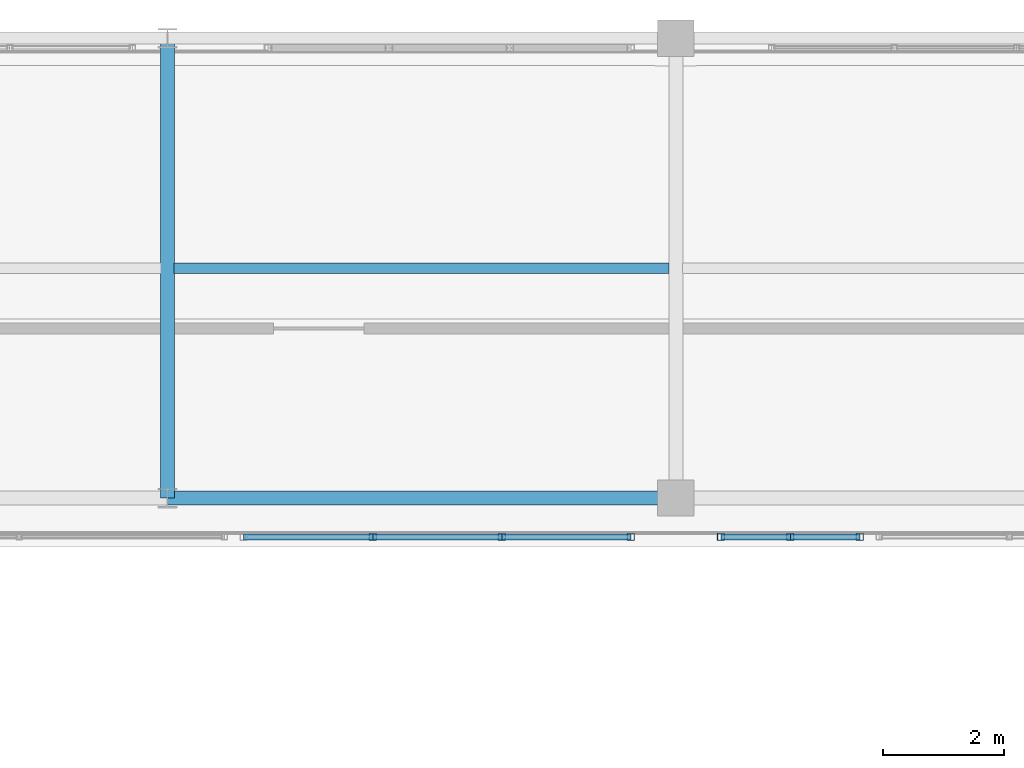
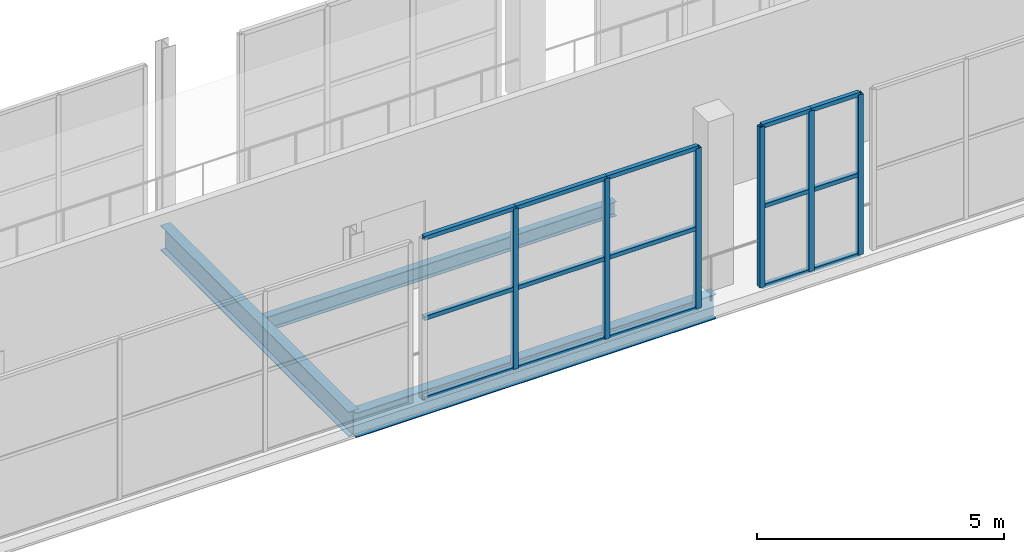
# One storey, part 63 of 151: 21 members, 3 beams, 2 elements without a shape of their own.
"""IFC4 building model written with IfcOpenShell, lengths in metres."""

import ifcopenshell
import ifcopenshell.guid

model = None  # the IFC model being written
_history = None  # IfcOwnerHistory: only IFC2X3 demands one
_inside = {}  # id of a spatial element -> (the spatial element, [elements in it])
_under = {}  # id of a project, library or spatial element -> (it, [spatial elements below it])
_declared = {}  # id of a project -> (the project, [libraries it declares])
_typed = {}  # id of a type object -> (the type object, [elements of that type])
_made_of = {}  # id of a material, layer set ... -> (it, [elements and type objects made of it])


def new_model(schema):
    """Start an empty IFC model of exactly this schema.

    Asked for "IFC4X3", IfcOpenShell would pick the latest addendum, in which some entities
    have other attributes; the version numbers below select the first issue.
    IFC2X3 requires an IfcOwnerHistory on every rooted entity: one is made here for all.
    """
    global model, _history
    if schema == "IFC4X3":
        model = ifcopenshell.file(schema_version=(4, 3, 0, 0))
    else:
        model = ifcopenshell.file(schema=schema)
    _inside.clear()
    _under.clear()
    _declared.clear()
    _typed.clear()
    _made_of.clear()
    _history = None
    if model.schema == "IFC2X3":
        org = make("IfcOrganization", Name="unknown")
        user = make(
            "IfcPersonAndOrganization",
            ThePerson=make("IfcPerson", FamilyName="unknown"),
            TheOrganization=org,
        )
        app = make(
            "IfcApplication",
            ApplicationDeveloper=org,
            Version="unknown",
            ApplicationFullName="unknown",
            ApplicationIdentifier="unknown",
        )
        _history = make(
            "IfcOwnerHistory",
            OwningUser=user,
            OwningApplication=app,
            ChangeAction="ADDED",
            CreationDate=0,
        )
    return model


def make(cls, **values):
    """One entity of the class cls with the attributes given. An attribute that is None is left unset."""
    return model.create_entity(
        cls, **{name: value for name, value in values.items() if value is not None}
    )


def rooted(cls, **values):
    """An entity with a GlobalId (a new one), such as an element, a storey or a relation."""
    return make(cls, GlobalId=ifcopenshell.guid.new(), OwnerHistory=_history, **values)


def si_unit(unit_type, name, prefix=None):
    """IfcSIUnit, for example si_unit("LENGTHUNIT", "METRE", prefix="MILLI")."""
    return make("IfcSIUnit", UnitType=unit_type, Prefix=prefix, Name=name)


def assignment(units):
    """IfcUnitAssignment: the units of a project."""
    return None if units is None else make("IfcUnitAssignment", Units=units)


def point(xyz):
    """IfcCartesianPoint."""
    return None if xyz is None else make("IfcCartesianPoint", Coordinates=xyz)


def direction(xyz):
    """IfcDirection."""
    return None if xyz is None else make("IfcDirection", DirectionRatios=xyz)


def frame(location, z_axis=None, x_axis=None):
    """IfcAxis2Placement3D, a coordinate frame: its origin and axes. An axis left out is left unset."""
    return make(
        "IfcAxis2Placement3D",
        Location=point(location),
        Axis=direction(z_axis),
        RefDirection=direction(x_axis),
    )


def frame_2d(location, x_axis=None):
    """IfcAxis2Placement2D, a coordinate frame in the plane: its origin and x axis."""
    return make(
        "IfcAxis2Placement2D", Location=point(location), RefDirection=direction(x_axis)
    )


def origin():
    """The frame at (0, 0, 0) with its axes left unset."""
    return frame((0.0, 0.0, 0.0))


def origin_2d():
    """The frame at (0, 0) in the plane with its x axis left unset."""
    return frame_2d((0.0, 0.0))


def place(relative_to, where):
    """IfcLocalPlacement: puts the frame where relative to a parent placement (None: the world)."""
    return make(
        "IfcLocalPlacement", PlacementRelTo=relative_to, RelativePlacement=where
    )


def context(
    kind, dimensions, precision=None, world=None, true_north=None, identifier=None
):
    """IfcGeometricRepresentationContext, for example the 3D "Model" context."""
    return make(
        "IfcGeometricRepresentationContext",
        ContextIdentifier=identifier,
        ContextType=kind,
        CoordinateSpaceDimension=dimensions,
        Precision=precision,
        WorldCoordinateSystem=world,
        TrueNorth=true_north,
    )


def subcontext(parent, identifier, kind, view, scale=None):
    """IfcGeometricRepresentationSubContext, for example "Body" below "Model"."""
    return make(
        "IfcGeometricRepresentationSubContext",
        ContextIdentifier=identifier,
        ContextType=kind,
        ParentContext=parent,
        TargetScale=scale,
        TargetView=view,
    )


def project(units=None, contexts=None):
    """IfcProject with its units and contexts."""
    return rooted(
        "IfcProject",
        Name="project",
        RepresentationContexts=contexts,
        UnitsInContext=assignment(units),
    )


def spatial(cls, under=None, at=None, **own):
    """A site, building, storey or space (cls), placed at a placement, below another one or the project."""
    s = rooted(cls, ObjectPlacement=at, **own)
    if under is not None:
        _under.setdefault(under.id(), (under, []))[1].append(s)
    return s


def profile(cls, at=None, kind="AREA", **sizes):
    """A parametric profile (cls). Its sizes go by their IFC names, for example OverallWidth=200.0."""
    return make(cls, ProfileType=kind, Position=at, **sizes)


def hollow_rectangle(**sizes):
    """IfcRectangleHollowProfileDef."""
    return profile("IfcRectangleHollowProfileDef", **sizes)


def i_section(**sizes):
    """IfcIShapeProfileDef."""
    return profile("IfcIShapeProfileDef", **sizes)


def extrude(swept, where, along, depth):
    """IfcExtrudedAreaSolid: the profile swept, set in the frame where, extruded along a direction by depth."""
    return make(
        "IfcExtrudedAreaSolid",
        SweptArea=swept,
        Position=where,
        ExtrudedDirection=direction(along),
        Depth=depth,
    )


def shape(context_of_items, identifier, shape_type, items):
    """IfcShapeRepresentation: the items that make up one representation, for example the "Body"."""
    return make(
        "IfcShapeRepresentation",
        ContextOfItems=context_of_items,
        RepresentationIdentifier=identifier,
        RepresentationType=shape_type,
        Items=items,
    )


def material(Name=None, Category=None):
    """IfcMaterial."""
    return make("IfcMaterial", Name=Name, Category=Category)


def material_profile(
    of_material, cross_section, Name=None, Category=None, Priority=None
):
    """IfcMaterialProfile: a cross section and its material."""
    return make(
        "IfcMaterialProfile",
        Name=Name,
        Material=of_material,
        Profile=cross_section,
        Priority=Priority,
        Category=Category,
    )


def profile_set(profiles, Name=None, composite=None):
    """IfcMaterialProfileSet."""
    return make(
        "IfcMaterialProfileSet",
        Name=Name,
        MaterialProfiles=profiles,
        CompositeProfile=composite,
    )


def made_of(thing, what):
    """Note that an element or type object is made of a material, layer set ...; save() writes the relation."""
    if what is not None:
        _made_of.setdefault(what.id(), (what, []))[1].append(thing)
    return thing


def type_object(cls, material=None, **own):
    """A type object (cls), such as IfcWallType, which elements share."""
    return made_of(rooted(cls, **own), material)


def element(
    cls,
    number,
    at=None,
    inside=None,
    cuts=None,
    type_object=None,
    material=None,
    context=None,
    identifier="Body",
    shape_type=None,
    held_by="IfcProductDefinitionShape",
    body=None,
    shapes=None,
    **own,
):
    """One element of the class cls, such as IfcWall. Its Tag is "e" and its number.

    at: its placement. inside: the storey or other place that contains it. cuts: it is an
    opening in that element (IfcRelVoidsElement). A single representation is given by context,
    identifier, shape_type and body (its items); several are given by shapes. held_by: the class
    of the entity that holds the representations. save() writes the other relations.
    """
    e = rooted(cls, Tag="e%d" % number, ObjectPlacement=at, **own)
    if body is not None:
        shapes = [shape(context, identifier, shape_type, body)]
    if shapes is not None:
        e.Representation = make(held_by, Representations=shapes)
    if inside is not None:
        _inside.setdefault(inside.id(), (inside, []))[1].append(e)
    if cuts is not None:
        rooted(
            "IfcRelVoidsElement", RelatingBuildingElement=cuts, RelatedOpeningElement=e
        )
    if type_object is not None:
        _typed.setdefault(type_object.id(), (type_object, []))[1].append(e)
    return made_of(e, material)


def aggregate(whole, parts):
    """IfcRelAggregates: a whole, such as a stair, and the parts it consists of."""
    return rooted("IfcRelAggregates", RelatingObject=whole, RelatedObjects=parts)


def save(model, path):
    """Write the relations noted so far, then the file.

    IfcRelAggregates (storeys below a building ...), IfcRelContainedInSpatialStructure (elements
    in a storey), IfcRelDefinesByType, IfcRelAssociatesMaterial and IfcRelDeclares: one each for
    every whole, place, type object, material and project.
    """
    for whole, parts in _under.values():
        aggregate(whole, parts)
    for where, things in _inside.values():
        rooted(
            "IfcRelContainedInSpatialStructure",
            RelatedElements=things,
            RelatingStructure=where,
        )
    for kind, things in _typed.values():
        rooted("IfcRelDefinesByType", RelatedObjects=things, RelatingType=kind)
    for what, things in _made_of.values():
        rooted("IfcRelAssociatesMaterial", RelatedObjects=things, RelatingMaterial=what)
    for by, libraries in _declared.values():
        rooted("IfcRelDeclares", RelatingContext=by, RelatedDefinitions=libraries)
    model.write(path)


model = new_model("IFC4")

# Units and contexts
model_context = context("Model", 3, precision=1e-05, world=origin(), true_north=direction((0.0, 1.0)))
body_context = subcontext(model_context, "Body", "Model", "MODEL_VIEW")
ifc_project = project(units=[si_unit("LENGTHUNIT", "METRE"), si_unit("AREAUNIT", "SQUARE_METRE"), si_unit("VOLUMEUNIT", "CUBIC_METRE"), si_unit("PLANEANGLEUNIT", "RADIAN"), si_unit("MASSUNIT", "GRAM", prefix="KILO")], contexts=[model_context])

# Site, building, storey
site_placement = place(None, origin())
site = spatial("IfcSite", under=ifc_project, at=site_placement, CompositionType="ELEMENT")
building_placement = place(site_placement, origin())
building = spatial("IfcBuilding", under=site, at=building_placement, Name="Zuvorla Pavilion Media Centre", CompositionType="ELEMENT")
storey_placement = place(building_placement, frame((0.0, 0.0, 13.800048828125)))
storey = spatial("IfcBuildingStorey", under=building, at=storey_placement, Name="L03", CompositionType="ELEMENT", Elevation=13.800048828125)

# Beams
ifc_material_1 = material(Name="Steel S355", Category="steel")
ifc_material_profile_1 = material_profile(ifc_material_1, i_section(OverallWidth=0.172119140625, OverallDepth=0.35791015625, WebThickness=0.008056640625, FlangeThickness=0.012939453125, FilletRadius=0.01025390625, at=origin_2d()), Name="UB 356x171x57")
ifc_profile_set_1 = profile_set([ifc_material_profile_1], Name="Steel S355")
beam_type_1 = type_object("IfcBeamType", Name="BM-UB356", PredefinedType="JOIST", material=ifc_profile_set_1)
beam_1_placement = place(storey_placement, frame((58.509521484375, 85.800048828125, -0.43701171875), z_axis=(1.0, 0.0, 0.0), x_axis=(0.0, 1.0, 0.0)))
element("IfcBeam", 1, at=beam_1_placement, inside=storey, type_object=beam_type_1, Name="L03 joist J03 1259", PredefinedType="JOIST", context=body_context, shape_type="SweptSolid", body=[
    extrude(i_section(OverallWidth=0.172119140625, OverallDepth=0.35791015625, WebThickness=0.008056640625, FlangeThickness=0.012939453125, FilletRadius=0.01025390625, at=origin_2d()), origin(), (0.0, 0.0, 1.0), 8.180908203125),
])
ifc_material_profile_2 = material_profile(ifc_material_1, i_section(OverallWidth=0.22900390625, OverallDepth=0.6123046875, WebThickness=0.011962890625, FlangeThickness=0.01953125, FilletRadius=0.0126953125, at=origin_2d()), Name="UB 610x229x125")
ifc_profile_set_2 = profile_set([ifc_material_profile_2], Name="Steel S355")
beam_type_2 = type_object("IfcBeamType", Name="BM-UB610", PredefinedType="BEAM", material=ifc_profile_set_2)
beam_2_placement = place(storey_placement, frame((58.39990234375, 82.0, -0.564208984375), z_axis=(1.0, 0.0, 0.0), x_axis=(0.0, 1.0, 0.0)))
element("IfcBeam", 2, at=beam_2_placement, inside=storey, type_object=beam_type_2, Name="L03 beam B07 1120", PredefinedType="BEAM", context=body_context, shape_type="SweptSolid", body=[
    extrude(i_section(OverallWidth=0.22900390625, OverallDepth=0.6123046875, WebThickness=0.011962890625, FlangeThickness=0.01953125, FilletRadius=0.0126953125, at=origin_2d()), origin(), (0.0, 0.0, 1.0), 8.400146484375),
])
beam_3_placement = place(storey_placement, frame((58.39990234375, 82.0, -0.564208984375), z_axis=(0.0, 1.0, 0.0), x_axis=(-1.0, 0.0, 0.0)))
element("IfcBeam", 3, at=beam_3_placement, inside=storey, type_object=beam_type_2, Name="L03 beam B07 1179", PredefinedType="BEAM", context=body_context, shape_type="SweptSolid", body=[
    extrude(i_section(OverallWidth=0.22900390625, OverallDepth=0.6123046875, WebThickness=0.011962890625, FlangeThickness=0.01953125, FilletRadius=0.0126953125, at=origin_2d()), origin(), (0.0, 0.0, 1.0), 7.60009765625),
])

# Curtain wall, members
ifc_material_2 = material(Name="Unitised anodised aluminium and solar glass curtain wall", Category="aluminium")
curtain_wall_type_1 = type_object("IfcCurtainWallType", Name="CW-SYS-76", PredefinedType="USERDEFINED", material=ifc_material_2)
curtain_wall_1_placement = place(storey_placement, origin())
curtain_wall_1 = element("IfcCurtainWall", 4, at=curtain_wall_1_placement, inside=storey, type_object=curtain_wall_type_1, Name="L03 curtain wall CW76 158", ObjectType="CURTAIN WALL", PredefinedType="USERDEFINED")
ifc_material_3 = material(Name="Anodised aluminium 6063-T6", Category="aluminium")
ifc_material_profile_3 = material_profile(ifc_material_3, hollow_rectangle(XDim=0.1201171875, YDim=0.1201171875, WallThickness=0.0048828125, at=origin_2d()), Name="ALU MULL 120x120")
ifc_profile_set_3 = profile_set([ifc_material_profile_3], Name="Anodised aluminium 6063-T6")
member_type_1 = type_object("IfcMemberType", Name="CW-MULL-120", PredefinedType="MULLION", material=ifc_profile_set_3)
member_1_placement = place(storey_placement, frame((69.840087890625, 81.360107421875, 0.0), z_axis=(0.0, 0.0, 1.0), x_axis=(1.0, 0.0, 0.0)))
member_1 = element("IfcMember", 5, at=member_1_placement, type_object=member_type_1, Name="CW76 mullion 1", PredefinedType="MULLION", context=body_context, shape_type="SweptSolid", body=[
    extrude(hollow_rectangle(XDim=0.1201171875, YDim=0.1201171875, WallThickness=0.0048828125, at=origin_2d()), origin(), (0.0, 0.0, 1.0), 3.9599609375),
])
member_2_placement = place(storey_placement, frame((68.692138671875, 81.360107421875, 0.0), z_axis=(0.0, 0.0, 1.0), x_axis=(1.0, 0.0, 0.0)))
member_2 = element("IfcMember", 6, at=member_2_placement, type_object=member_type_1, Name="CW76 mullion 2", PredefinedType="MULLION", context=body_context, shape_type="SweptSolid", body=[
    extrude(hollow_rectangle(XDim=0.1201171875, YDim=0.1201171875, WallThickness=0.0048828125, at=origin_2d()), origin(), (0.0, 0.0, 1.0), 3.9599609375),
])
member_3_placement = place(storey_placement, frame((67.544189453125, 81.360107421875, 0.0), z_axis=(0.0, 0.0, 1.0), x_axis=(1.0, 0.0, 0.0)))
member_3 = element("IfcMember", 7, at=member_3_placement, type_object=member_type_1, Name="CW76 mullion 3", PredefinedType="MULLION", context=body_context, shape_type="SweptSolid", body=[
    extrude(hollow_rectangle(XDim=0.1201171875, YDim=0.1201171875, WallThickness=0.0048828125, at=origin_2d()), origin(), (0.0, 0.0, 1.0), 3.9599609375),
])

curtain_wall_type_2 = type_object("IfcCurtainWallType", Name="CW-SYS-77", PredefinedType="USERDEFINED", material=ifc_material_2)
curtain_wall_2_placement = place(storey_placement, origin())
curtain_wall_2 = element("IfcCurtainWall", 8, at=curtain_wall_2_placement, inside=storey, type_object=curtain_wall_type_2, Name="L03 curtain wall CW77 159", ObjectType="CURTAIN WALL", PredefinedType="USERDEFINED")
member_4_placement = place(storey_placement, frame((66.0556640625, 81.360107421875, 0.0), z_axis=(0.0, 0.0, 1.0), x_axis=(1.0, 0.0, 0.0)))
member_4 = element("IfcMember", 9, at=member_4_placement, type_object=member_type_1, Name="CW77 mullion 1", PredefinedType="MULLION", context=body_context, shape_type="SweptSolid", body=[
    extrude(hollow_rectangle(XDim=0.1201171875, YDim=0.1201171875, WallThickness=0.0048828125, at=origin_2d()), origin(), (0.0, 0.0, 1.0), 3.9599609375),
])
member_5_placement = place(storey_placement, frame((63.923828125, 81.360107421875, 0.0), z_axis=(0.0, 0.0, 1.0), x_axis=(1.0, 0.0, 0.0)))
member_5 = element("IfcMember", 10, at=member_5_placement, type_object=member_type_1, Name="CW77 mullion 2", PredefinedType="MULLION", context=body_context, shape_type="SweptSolid", body=[
    extrude(hollow_rectangle(XDim=0.1201171875, YDim=0.1201171875, WallThickness=0.0048828125, at=origin_2d()), origin(), (0.0, 0.0, 1.0), 3.9599609375),
])
member_6_placement = place(storey_placement, frame((61.7919921875, 81.360107421875, 0.0), z_axis=(0.0, 0.0, 1.0), x_axis=(1.0, 0.0, 0.0)))
member_6 = element("IfcMember", 11, at=member_6_placement, type_object=member_type_1, Name="CW77 mullion 3", PredefinedType="MULLION", context=body_context, shape_type="SweptSolid", body=[
    extrude(hollow_rectangle(XDim=0.1201171875, YDim=0.1201171875, WallThickness=0.0048828125, at=origin_2d()), origin(), (0.0, 0.0, 1.0), 3.9599609375),
])

# Member
ifc_material_profile_4 = material_profile(ifc_material_3, hollow_rectangle(XDim=0.10009765625, YDim=0.10009765625, WallThickness=0.00439453125, at=origin_2d()), Name="ALU TRAN 100x100")
ifc_profile_set_4 = profile_set([ifc_material_profile_4], Name="Anodised aluminium 6063-T6")
member_type_2 = type_object("IfcMemberType", Name="CW-TRAN-100", PredefinedType="USERDEFINED", material=ifc_profile_set_4)
member_7_placement = place(storey_placement, frame((69.840087890625, 81.360107421875, 0.0), z_axis=(-1.0, 0.0, 0.0), x_axis=(0.0, -1.0, 0.0)))
member_7 = element("IfcMember", 12, at=member_7_placement, type_object=member_type_2, Name="CW76 transom 1.1", ObjectType="TRANSOM", PredefinedType="USERDEFINED", context=body_context, shape_type="SweptSolid", body=[
    extrude(hollow_rectangle(XDim=0.10009765625, YDim=0.10009765625, WallThickness=0.00439453125, at=origin_2d()), origin(), (0.0, 0.0, 1.0), 1.14794921875),
])

member_8_placement = place(storey_placement, frame((69.840087890625, 81.360107421875, 1.97998046875), z_axis=(-1.0, 0.0, 0.0), x_axis=(0.0, -1.0, 0.0)))
member_8 = element("IfcMember", 13, at=member_8_placement, type_object=member_type_2, Name="CW76 transom 1.2", ObjectType="TRANSOM", PredefinedType="USERDEFINED", context=body_context, shape_type="SweptSolid", body=[
    extrude(hollow_rectangle(XDim=0.10009765625, YDim=0.10009765625, WallThickness=0.00439453125, at=origin_2d()), origin(), (0.0, 0.0, 1.0), 1.14794921875),
])

member_9_placement = place(storey_placement, frame((69.840087890625, 81.360107421875, 3.9599609375), z_axis=(-1.0, 0.0, 0.0), x_axis=(0.0, -1.0, 0.0)))
member_9 = element("IfcMember", 14, at=member_9_placement, type_object=member_type_2, Name="CW76 transom 1.3", ObjectType="TRANSOM", PredefinedType="USERDEFINED", context=body_context, shape_type="SweptSolid", body=[
    extrude(hollow_rectangle(XDim=0.10009765625, YDim=0.10009765625, WallThickness=0.00439453125, at=origin_2d()), origin(), (0.0, 0.0, 1.0), 1.14794921875),
])

member_10_placement = place(storey_placement, frame((68.692138671875, 81.360107421875, 0.0), z_axis=(-1.0, 0.0, 0.0), x_axis=(0.0, -1.0, 0.0)))
member_10 = element("IfcMember", 15, at=member_10_placement, type_object=member_type_2, Name="CW76 transom 2.1", ObjectType="TRANSOM", PredefinedType="USERDEFINED", context=body_context, shape_type="SweptSolid", body=[
    extrude(hollow_rectangle(XDim=0.10009765625, YDim=0.10009765625, WallThickness=0.00439453125, at=origin_2d()), origin(), (0.0, 0.0, 1.0), 1.14794921875),
])

member_11_placement = place(storey_placement, frame((68.692138671875, 81.360107421875, 1.97998046875), z_axis=(-1.0, 0.0, 0.0), x_axis=(0.0, -1.0, 0.0)))
member_11 = element("IfcMember", 16, at=member_11_placement, type_object=member_type_2, Name="CW76 transom 2.2", ObjectType="TRANSOM", PredefinedType="USERDEFINED", context=body_context, shape_type="SweptSolid", body=[
    extrude(hollow_rectangle(XDim=0.10009765625, YDim=0.10009765625, WallThickness=0.00439453125, at=origin_2d()), origin(), (0.0, 0.0, 1.0), 1.14794921875),
])

member_12_placement = place(storey_placement, frame((68.692138671875, 81.360107421875, 3.9599609375), z_axis=(-1.0, 0.0, 0.0), x_axis=(0.0, -1.0, 0.0)))
member_12 = element("IfcMember", 17, at=member_12_placement, type_object=member_type_2, Name="CW76 transom 2.3", ObjectType="TRANSOM", PredefinedType="USERDEFINED", context=body_context, shape_type="SweptSolid", body=[
    extrude(hollow_rectangle(XDim=0.10009765625, YDim=0.10009765625, WallThickness=0.00439453125, at=origin_2d()), origin(), (0.0, 0.0, 1.0), 1.14794921875),
])

aggregate(curtain_wall_1, [member_1, member_2, member_3, member_7, member_8, member_9, member_10, member_11, member_12])

member_13_placement = place(storey_placement, frame((66.0556640625, 81.360107421875, 0.0), z_axis=(-1.0, 0.0, 0.0), x_axis=(0.0, -1.0, 0.0)))
member_13 = element("IfcMember", 18, at=member_13_placement, type_object=member_type_2, Name="CW77 transom 1.1", ObjectType="TRANSOM", PredefinedType="USERDEFINED", context=body_context, shape_type="SweptSolid", body=[
    extrude(hollow_rectangle(XDim=0.10009765625, YDim=0.10009765625, WallThickness=0.00439453125, at=origin_2d()), origin(), (0.0, 0.0, 1.0), 2.1318359375),
])

member_14_placement = place(storey_placement, frame((66.0556640625, 81.360107421875, 1.97998046875), z_axis=(-1.0, 0.0, 0.0), x_axis=(0.0, -1.0, 0.0)))
member_14 = element("IfcMember", 19, at=member_14_placement, type_object=member_type_2, Name="CW77 transom 1.2", ObjectType="TRANSOM", PredefinedType="USERDEFINED", context=body_context, shape_type="SweptSolid", body=[
    extrude(hollow_rectangle(XDim=0.10009765625, YDim=0.10009765625, WallThickness=0.00439453125, at=origin_2d()), origin(), (0.0, 0.0, 1.0), 2.1318359375),
])

member_15_placement = place(storey_placement, frame((66.0556640625, 81.360107421875, 3.9599609375), z_axis=(-1.0, 0.0, 0.0), x_axis=(0.0, -1.0, 0.0)))
member_15 = element("IfcMember", 20, at=member_15_placement, type_object=member_type_2, Name="CW77 transom 1.3", ObjectType="TRANSOM", PredefinedType="USERDEFINED", context=body_context, shape_type="SweptSolid", body=[
    extrude(hollow_rectangle(XDim=0.10009765625, YDim=0.10009765625, WallThickness=0.00439453125, at=origin_2d()), origin(), (0.0, 0.0, 1.0), 2.1318359375),
])

member_16_placement = place(storey_placement, frame((63.923828125, 81.360107421875, 0.0), z_axis=(-1.0, 0.0, 0.0), x_axis=(0.0, -1.0, 0.0)))
member_16 = element("IfcMember", 21, at=member_16_placement, type_object=member_type_2, Name="CW77 transom 2.1", ObjectType="TRANSOM", PredefinedType="USERDEFINED", context=body_context, shape_type="SweptSolid", body=[
    extrude(hollow_rectangle(XDim=0.10009765625, YDim=0.10009765625, WallThickness=0.00439453125, at=origin_2d()), origin(), (0.0, 0.0, 1.0), 2.1318359375),
])

member_17_placement = place(storey_placement, frame((63.923828125, 81.360107421875, 1.97998046875), z_axis=(-1.0, 0.0, 0.0), x_axis=(0.0, -1.0, 0.0)))
member_17 = element("IfcMember", 22, at=member_17_placement, type_object=member_type_2, Name="CW77 transom 2.2", ObjectType="TRANSOM", PredefinedType="USERDEFINED", context=body_context, shape_type="SweptSolid", body=[
    extrude(hollow_rectangle(XDim=0.10009765625, YDim=0.10009765625, WallThickness=0.00439453125, at=origin_2d()), origin(), (0.0, 0.0, 1.0), 2.1318359375),
])

member_18_placement = place(storey_placement, frame((63.923828125, 81.360107421875, 3.9599609375), z_axis=(-1.0, 0.0, 0.0), x_axis=(0.0, -1.0, 0.0)))
member_18 = element("IfcMember", 23, at=member_18_placement, type_object=member_type_2, Name="CW77 transom 2.3", ObjectType="TRANSOM", PredefinedType="USERDEFINED", context=body_context, shape_type="SweptSolid", body=[
    extrude(hollow_rectangle(XDim=0.10009765625, YDim=0.10009765625, WallThickness=0.00439453125, at=origin_2d()), origin(), (0.0, 0.0, 1.0), 2.1318359375),
])

member_19_placement = place(storey_placement, frame((61.7919921875, 81.360107421875, 0.0), z_axis=(-1.0, 0.0, 0.0), x_axis=(0.0, -1.0, 0.0)))
member_19 = element("IfcMember", 24, at=member_19_placement, type_object=member_type_2, Name="CW77 transom 3.1", ObjectType="TRANSOM", PredefinedType="USERDEFINED", context=body_context, shape_type="SweptSolid", body=[
    extrude(hollow_rectangle(XDim=0.10009765625, YDim=0.10009765625, WallThickness=0.00439453125, at=origin_2d()), origin(), (0.0, 0.0, 1.0), 2.132080078125),
])

member_20_placement = place(storey_placement, frame((61.7919921875, 81.360107421875, 1.97998046875), z_axis=(-1.0, 0.0, 0.0), x_axis=(0.0, -1.0, 0.0)))
member_20 = element("IfcMember", 25, at=member_20_placement, type_object=member_type_2, Name="CW77 transom 3.2", ObjectType="TRANSOM", PredefinedType="USERDEFINED", context=body_context, shape_type="SweptSolid", body=[
    extrude(hollow_rectangle(XDim=0.10009765625, YDim=0.10009765625, WallThickness=0.00439453125, at=origin_2d()), origin(), (0.0, 0.0, 1.0), 2.132080078125),
])

member_21_placement = place(storey_placement, frame((61.7919921875, 81.360107421875, 3.9599609375), z_axis=(-1.0, 0.0, 0.0), x_axis=(0.0, -1.0, 0.0)))
member_21 = element("IfcMember", 26, at=member_21_placement, type_object=member_type_2, Name="CW77 transom 3.3", ObjectType="TRANSOM", PredefinedType="USERDEFINED", context=body_context, shape_type="SweptSolid", body=[
    extrude(hollow_rectangle(XDim=0.10009765625, YDim=0.10009765625, WallThickness=0.00439453125, at=origin_2d()), origin(), (0.0, 0.0, 1.0), 2.132080078125),
])

aggregate(curtain_wall_2, [member_4, member_5, member_6, member_13, member_14, member_15, member_16, member_17, member_18, member_19, member_20, member_21])

save(model, "model.ifc")
